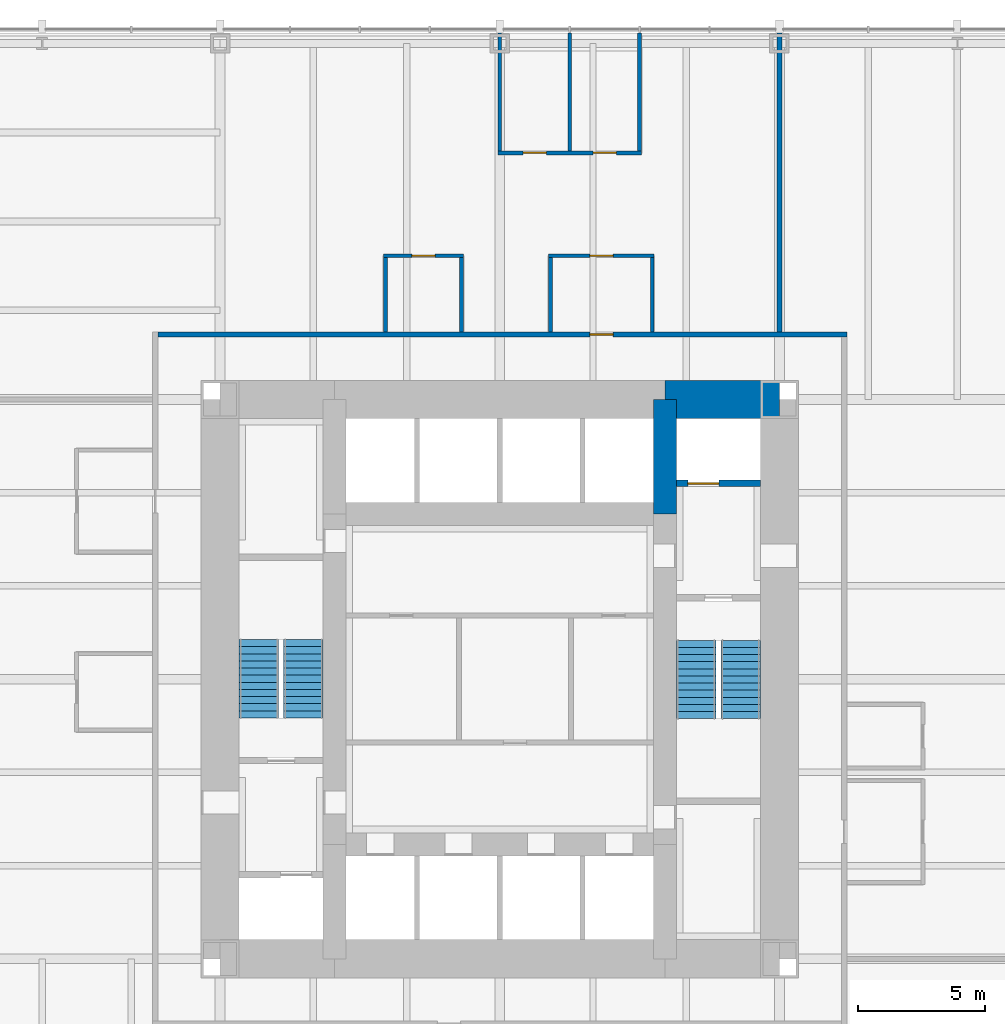
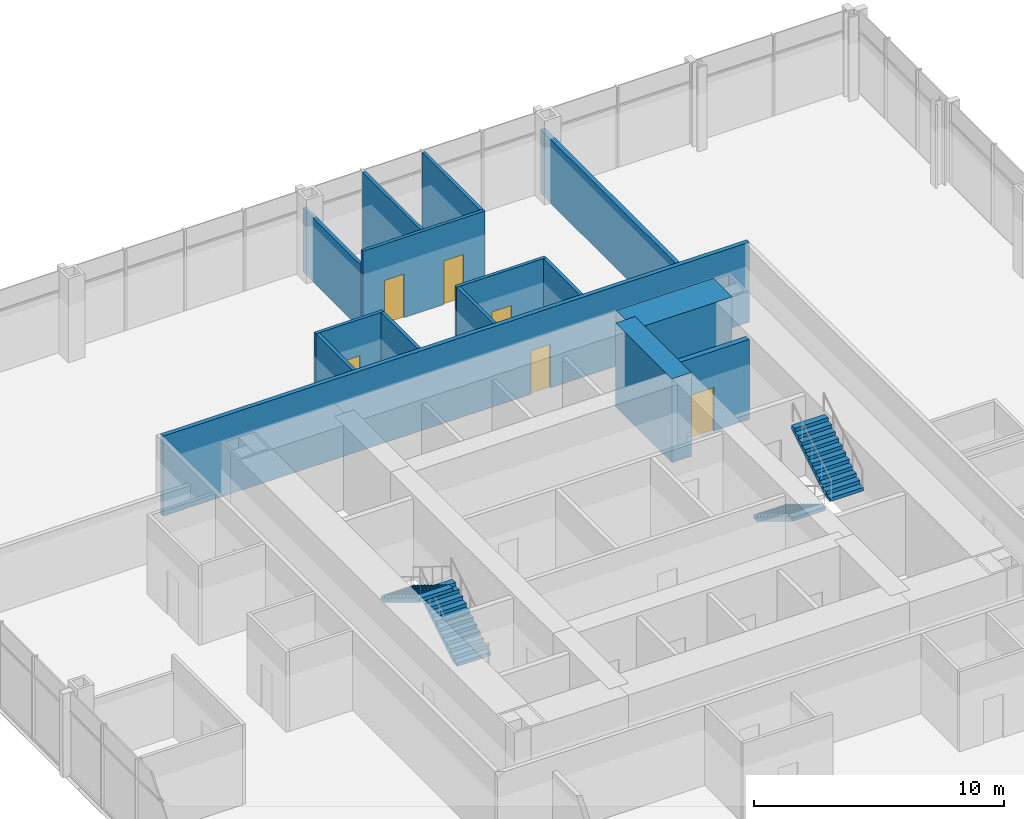
# One storey, part 11 of 12: 15 walls, 6 doors, 4 stair flights, 6 openings, 2 elements without a shape of their own.
"""IFC4 building model written with IfcOpenShell, lengths in metres."""

from ifc_helpers import new_model, si_unit, direction, frame, frame_2d, origin, place, context, subcontext, project, spatial, polyline, rectangle, outline, extrude, material, layer, layer_set, type_object, element, fill, aggregate, save


model = new_model("IFC4")

# Units and contexts
model_context = context("Model", 3, precision=1e-05, world=origin(), true_north=direction((0.0, 1.0)))
body_context = subcontext(model_context, "Body", "Model", "MODEL_VIEW")
ifc_project = project(units=[si_unit("LENGTHUNIT", "METRE"), si_unit("AREAUNIT", "SQUARE_METRE"), si_unit("VOLUMEUNIT", "CUBIC_METRE"), si_unit("PLANEANGLEUNIT", "RADIAN"), si_unit("MASSUNIT", "GRAM", prefix="KILO")], contexts=[model_context])

# Site, building, storey
site_placement = place(None, origin())
site = spatial("IfcSite", under=ifc_project, at=site_placement, CompositionType="ELEMENT")
building_placement = place(site_placement, origin())
building = spatial("IfcBuilding", under=site, at=building_placement, Name="Trevanion Tower", CompositionType="ELEMENT")
storey_placement = place(building_placement, frame((0.0, 0.0, 24.199951171875)))
storey = spatial("IfcBuildingStorey", under=building, at=storey_placement, Name="L05", CompositionType="ELEMENT", Elevation=24.199951171875)

# Walls
ifc_material_1 = material(Name="Concrete 10,000 psi", Category="concrete")
ifc_layer_1 = layer(ifc_material_1, 1.5)
ifc_layer_set_1 = layer_set([ifc_layer_1], Name="CW1 core wall 1500")
wall_type_1 = type_object("IfcWallType", Name="CW1 core wall 1500", PredefinedType="SHEAR", material=ifc_layer_set_1)
wall_1_placement = place(storey_placement, frame((11.0, 11.0, 0.0), z_axis=(0.0, 0.0, 1.0), x_axis=(-1.0, 0.0, 0.0)))
element("IfcWall", 1, at=wall_1_placement, inside=storey, type_object=wall_type_1, Name="CW1 CN1 L05", PredefinedType="SHEAR", context=body_context, shape_type="SweptSolid", body=[
    extrude(rectangle(XDim=4.5, YDim=1.5, at=frame_2d((2.25, 0.0))), origin(), (0.0, 0.0, 1.0), 4.10009765625),
])
ifc_material_2 = material(Name="Concrete 10,000 psi", Category="concrete")
ifc_layer_2 = layer(ifc_material_2, 0.89990234375)
ifc_layer_set_2 = layer_set([ifc_layer_2], Name="CW2 core wall 900")
wall_type_2 = type_object("IfcWallType", Name="CW2 core wall 900", PredefinedType="SHEAR", material=ifc_layer_set_2)
wall_2_placement = place(storey_placement, frame((6.5, 6.5, 0.0), z_axis=(0.0, 0.0, 1.0), x_axis=(0.0, 1.0, 0.0)))
element("IfcWall", 2, at=wall_2_placement, inside=storey, type_object=wall_type_2, Name="CW2 RE3 L05", PredefinedType="SHEAR", context=body_context, shape_type="SweptSolid", body=[
    extrude(rectangle(XDim=4.5, YDim=0.89990234375, at=frame_2d((2.25, 0.0))), origin(), (0.0, 0.0, 1.0), 4.10009765625),
])

# Wall, openings, doors
ifc_material_3 = material(Name="Gypsum board on steel studs", Category="steel")
ifc_layer_3 = layer(ifc_material_3, 0.14990234375)
ifc_layer_set_3 = layer_set([ifc_layer_3], Name="PT1 partition 150")
wall_type_3 = type_object("IfcWallType", Name="PT1 partition 150", PredefinedType="PARTITIONING", material=ifc_layer_set_3)
wall_3_placement = place(storey_placement, frame((5.574951171875, 20.699951171875, 0.0), z_axis=(0.0, 0.0, 1.0), x_axis=(-1.0, 0.0, 0.0)))
wall_3 = element("IfcWall", 3, at=wall_3_placement, inside=storey, type_object=wall_type_3, Name="PT1 L05 FC1F", PredefinedType="PARTITIONING", context=body_context, shape_type="SweptSolid", body=[
    extrude(rectangle(XDim=5.64990234375, YDim=0.14990234375, at=frame_2d((2.824951171875, 0.0))), origin(), (0.0, 0.0, 1.0), 3.91015625),
])
opening_1_placement = place(wall_3_placement, frame((0.992431640625, 0.0, 0.0)))
opening_1 = element("IfcOpeningElement", 4, at=opening_1_placement, cuts=wall_3, Name="Opening 05-021", PredefinedType="OPENING", context=body_context, shape_type="SweptSolid", body=[
    extrude(rectangle(XDim=0.9150390625, YDim=2.134033203125, at=frame_2d((0.45751953125, 1.06689453125))), frame((0.0, 0.0849609375, 0.0), z_axis=(0.0, -1.0, 0.0), x_axis=(1.0, 0.0, 0.0)), (0.0, 0.0, 1.0), 0.169921875),
])
opening_2_placement = place(wall_3_placement, frame((3.742431640625, 0.0, 0.0)))
opening_2 = element("IfcOpeningElement", 5, at=opening_2_placement, cuts=wall_3, Name="Opening 05-022", PredefinedType="OPENING", context=body_context, shape_type="SweptSolid", body=[
    extrude(rectangle(XDim=0.9150390625, YDim=2.134033203125, at=frame_2d((0.45751953125, 1.06689453125))), frame((0.0, 0.0849609375, 0.0), z_axis=(0.0, -1.0, 0.0), x_axis=(1.0, 0.0, 0.0)), (0.0, 0.0, 1.0), 0.169921875),
])
ifc_material_4 = material(Name="Timber veneer, solid core", Category="wood")
door_type_1 = type_object("IfcDoorType", Name="D1 office and meeting room door", OperationType="SINGLE_SWING_LEFT", PredefinedType="DOOR", material=ifc_material_4)
door_1_placement = place(opening_1_placement, origin())
door_1 = element("IfcDoor", 6, at=door_1_placement, inside=storey, type_object=door_type_1, Name="Door 05-021", OperationType="SINGLE_SWING_LEFT", OverallHeight=2.134033203125, OverallWidth=0.9150390625, PredefinedType="DOOR", context=body_context, shape_type="SweptSolid", body=[
    extrude(rectangle(XDim=0.9150390625, YDim=2.134033203125, at=frame_2d((0.45751953125, 1.06689453125))), frame((0.0, 0.02490234375, 0.0), z_axis=(0.0, -1.0, 0.0), x_axis=(1.0, 0.0, 0.0)), (0.0, 0.0, 1.0), 0.050048828125),
])
fill(opening_1, door_1)
door_2_placement = place(opening_2_placement, origin())
door_2 = element("IfcDoor", 7, at=door_2_placement, inside=storey, type_object=door_type_1, Name="Door 05-022", OperationType="SINGLE_SWING_LEFT", OverallHeight=2.134033203125, OverallWidth=0.9150390625, PredefinedType="DOOR", context=body_context, shape_type="SweptSolid", body=[
    extrude(rectangle(XDim=0.9150390625, YDim=2.134033203125, at=frame_2d((0.45751953125, 1.06689453125))), frame((0.0, 0.02490234375, 0.0), z_axis=(0.0, -1.0, 0.0), x_axis=(1.0, 0.0, 0.0)), (0.0, 0.0, 1.0), 0.050048828125),
])
fill(opening_2, door_2)

# Walls
for number, where, z_axis, x_axis, name in (
    (8, (5.5, 20.77490234375, 0.0), (0.0, 0.0, 1.0), (0.0, 1.0, 0.0), "PT1 L05 FC1S0"),
    (9, (2.75, 20.77490234375, 0.0), (0.0, 0.0, 1.0), (0.0, 1.0, 0.0), "PT1 L05 FC1S1"),
):
    element("IfcWall", number, at=place(storey_placement, frame(where, z_axis=z_axis, x_axis=x_axis)), inside=storey, type_object=wall_type_3, Name=name, PredefinedType="PARTITIONING", context=body_context, shape_type="SweptSolid", body=[
        extrude(rectangle(XDim=4.64013671875, YDim=0.14990234375, at=frame_2d((2.320068359375, 0.0))), origin(), (0.0, 0.0, 1.0), 3.91015625),
    ])
wall_4_placement = place(storey_placement, frame((0.0, 20.77490234375, 0.0), z_axis=(0.0, 0.0, 1.0), x_axis=(0.0, 1.0, 0.0)))
element("IfcWall", 10, at=wall_4_placement, inside=storey, type_object=wall_type_3, Name="PT1 L05 FC1S2", PredefinedType="PARTITIONING", context=body_context, shape_type="SweptSolid", body=[
    extrude(rectangle(XDim=4.64013671875, YDim=0.14990234375, at=frame_2d((2.320068359375, 0.0))), origin(), (0.0, 0.0, 1.0), 3.130126953125),
])

# Wall, opening, door
wall_5_placement = place(storey_placement, frame((6.074951171875, 16.64990234375, 0.0), z_axis=(0.0, 0.0, 1.0), x_axis=(-1.0, 0.0, 0.0)))
wall_5 = element("IfcWall", 11, at=wall_5_placement, inside=storey, type_object=wall_type_3, Name="PT1 L05 IN10F", PredefinedType="PARTITIONING", context=body_context, shape_type="SweptSolid", body=[
    extrude(rectangle(XDim=4.14990234375, YDim=0.14990234375, at=frame_2d((2.074951171875, 0.0))), origin(), (0.0, 0.0, 1.0), 3.91015625),
])
opening_3_placement = place(wall_5_placement, frame((1.617431640625, 0.0, 0.0)))
opening_3 = element("IfcOpeningElement", 12, at=opening_3_placement, cuts=wall_5, Name="Opening 05-027", PredefinedType="OPENING", context=body_context, shape_type="SweptSolid", body=[
    extrude(rectangle(XDim=0.9150390625, YDim=2.134033203125, at=frame_2d((0.45751953125, 1.06689453125))), frame((0.0, 0.0849609375, 0.0), z_axis=(0.0, -1.0, 0.0), x_axis=(1.0, 0.0, 0.0)), (0.0, 0.0, 1.0), 0.169921875),
])
door_3_placement = place(opening_3_placement, origin())
door_3 = element("IfcDoor", 13, at=door_3_placement, inside=storey, type_object=door_type_1, Name="Door 05-027", OperationType="SINGLE_SWING_LEFT", OverallHeight=2.134033203125, OverallWidth=0.9150390625, PredefinedType="DOOR", context=body_context, shape_type="SweptSolid", body=[
    extrude(rectangle(XDim=0.9150390625, YDim=2.134033203125, at=frame_2d((0.45751953125, 1.06689453125))), frame((0.0, 0.02490234375, 0.0), z_axis=(0.0, -1.0, 0.0), x_axis=(1.0, 0.0, 0.0)), (0.0, 0.0, 1.0), 0.050048828125),
])
fill(opening_3, door_3)

# Walls
for number, where, z_axis, x_axis, name in (
    (14, (6.0, 16.574951171875, 0.0), (0.0, 0.0, 1.0), (0.0, -1.0, 0.0), "PT1 L05 IN10S0"),
    (15, (2.0, 16.574951171875, 0.0), (0.0, 0.0, 1.0), (0.0, -1.0, 0.0), "PT1 L05 IN10S1"),
):
    element("IfcWall", number, at=place(storey_placement, frame(where, z_axis=z_axis, x_axis=x_axis)), inside=storey, type_object=wall_type_3, Name=name, PredefinedType="PARTITIONING", context=body_context, shape_type="SweptSolid", body=[
        extrude(rectangle(XDim=2.925048828125, YDim=0.14990234375, at=frame_2d((1.46240234375, 0.0))), origin(), (0.0, 0.0, 1.0), 3.91015625),
    ])

# Wall, opening, door
wall_6_placement = place(storey_placement, frame((-1.425048828125, 16.64990234375, 0.0), z_axis=(0.0, 0.0, 1.0), x_axis=(-1.0, 0.0, 0.0)))
wall_6 = element("IfcWall", 16, at=wall_6_placement, inside=storey, type_object=wall_type_3, Name="PT1 L05 IN11F", PredefinedType="PARTITIONING", context=body_context, shape_type="SweptSolid", body=[
    extrude(rectangle(XDim=3.14990234375, YDim=0.14990234375, at=frame_2d((1.574951171875, 0.0))), origin(), (0.0, 0.0, 1.0), 3.91015625),
])
opening_4_placement = place(wall_6_placement, frame((1.117431640625, 0.0, 0.0)))
opening_4 = element("IfcOpeningElement", 17, at=opening_4_placement, cuts=wall_6, Name="Opening 05-029", PredefinedType="OPENING", context=body_context, shape_type="SweptSolid", body=[
    extrude(rectangle(XDim=0.9150390625, YDim=2.134033203125, at=frame_2d((0.45751953125, 1.06689453125))), frame((0.0, 0.0849609375, 0.0), z_axis=(0.0, -1.0, 0.0), x_axis=(1.0, 0.0, 0.0)), (0.0, 0.0, 1.0), 0.169921875),
])
door_4_placement = place(opening_4_placement, origin())
door_4 = element("IfcDoor", 18, at=door_4_placement, inside=storey, type_object=door_type_1, Name="Door 05-029", OperationType="SINGLE_SWING_LEFT", OverallHeight=2.134033203125, OverallWidth=0.9150390625, PredefinedType="DOOR", context=body_context, shape_type="SweptSolid", body=[
    extrude(rectangle(XDim=0.9150390625, YDim=2.134033203125, at=frame_2d((0.45751953125, 1.06689453125))), frame((0.0, 0.02490234375, 0.0), z_axis=(0.0, -1.0, 0.0), x_axis=(1.0, 0.0, 0.0)), (0.0, 0.0, 1.0), 0.050048828125),
])
fill(opening_4, door_4)

# Walls
for number, where, z_axis, x_axis, name in (
    (19, (-1.5, 16.574951171875, 0.0), (0.0, 0.0, 1.0), (0.0, -1.0, 0.0), "PT1 L05 IN11S0"),
    (20, (-4.5, 16.574951171875, 0.0), (0.0, 0.0, 1.0), (0.0, -1.0, 0.0), "PT1 L05 IN11S1"),
):
    element("IfcWall", number, at=place(storey_placement, frame(where, z_axis=z_axis, x_axis=x_axis)), inside=storey, type_object=wall_type_3, Name=name, PredefinedType="PARTITIONING", context=body_context, shape_type="SweptSolid", body=[
        extrude(rectangle(XDim=2.925048828125, YDim=0.14990234375, at=frame_2d((1.46240234375, 0.0))), origin(), (0.0, 0.0, 1.0), 3.91015625),
    ])

# Wall, opening, door
ifc_material_5 = material(Name="Concrete masonry, grouted", Category="masonry")
ifc_layer_4 = layer(ifc_material_5, 0.199951171875)
ifc_layer_set_4 = layer_set([ifc_layer_4], Name="PT2 partition 200 1 HR")
wall_type_4 = type_object("IfcWallType", Name="PT2 partition 200 1 HR", PredefinedType="PARTITIONING", material=ifc_layer_set_4)
wall_7_placement = place(storey_placement, frame((13.64990234375, 13.550048828125, 0.0), z_axis=(0.0, 0.0, 1.0), x_axis=(-1.0, 0.0, 0.0)))
wall_7 = element("IfcWall", 21, at=wall_7_placement, inside=storey, type_object=wall_type_4, Name="PT2 L05 OC1", PredefinedType="PARTITIONING", context=body_context, shape_type="SweptSolid", body=[
    extrude(rectangle(XDim=27.099853515625, YDim=0.199951171875, at=frame_2d((13.5498046875, 0.0))), origin(), (0.0, 0.0, 1.0), 3.91015625),
])
opening_5_placement = place(wall_7_placement, frame((9.1923828125, 0.0, 0.0)))
opening_5 = element("IfcOpeningElement", 22, at=opening_5_placement, cuts=wall_7, Name="Opening 05-028", PredefinedType="OPENING", context=body_context, shape_type="SweptSolid", body=[
    extrude(rectangle(XDim=0.9150390625, YDim=2.134033203125, at=frame_2d((0.45751953125, 1.06689453125))), frame((0.0, 0.10986328125, 0.0), z_axis=(0.0, -1.0, 0.0), x_axis=(1.0, 0.0, 0.0)), (0.0, 0.0, 1.0), 0.219970703125),
])
ifc_material_6 = material(Name="Timber veneer, fire rated", Category="wood")
door_type_2 = type_object("IfcDoorType", Name="D10 office door in a one hour wall", OperationType="SINGLE_SWING_LEFT", PredefinedType="DOOR", material=ifc_material_6)
door_5_placement = place(opening_5_placement, origin())
door_5 = element("IfcDoor", 23, at=door_5_placement, inside=storey, type_object=door_type_2, Name="Door 05-028", OperationType="SINGLE_SWING_LEFT", OverallHeight=2.134033203125, OverallWidth=0.9150390625, PredefinedType="DOOR", context=body_context, shape_type="SweptSolid", body=[
    extrude(rectangle(XDim=0.9150390625, YDim=2.134033203125, at=frame_2d((0.45751953125, 1.06689453125))), frame((0.0, 0.02490234375, 0.0), z_axis=(0.0, -1.0, 0.0), x_axis=(1.0, 0.0, 0.0)), (0.0, 0.0, 1.0), 0.050048828125),
])
fill(opening_5, door_5)

# Wall
wall_8_placement = place(storey_placement, frame((11.0, 13.64990234375, 0.0), z_axis=(0.0, 0.0, 1.0), x_axis=(0.0, 1.0, 0.0)))
element("IfcWall", 24, at=wall_8_placement, inside=storey, type_object=wall_type_4, Name="PT2 L05 DM0", PredefinedType="PARTITIONING", context=body_context, shape_type="SweptSolid", body=[
    extrude(rectangle(XDim=11.76513671875, YDim=0.199951171875, at=frame_2d((5.882568359375, 0.0))), origin(), (0.0, 0.0, 1.0), 3.130126953125),
])

# Wall, opening, door
ifc_material_7 = material(Name="Concrete masonry, grouted, two-hour", Category="masonry")
ifc_layer_5 = layer(ifc_material_7, 0.25)
ifc_layer_set_5 = layer_set([ifc_layer_5], Name="PT3 partition 250 2 HR")
wall_type_5 = type_object("IfcWallType", Name="PT3 partition 250 2 HR", PredefinedType="PARTITIONING", material=ifc_layer_set_5)
wall_9_placement = place(storey_placement, frame((6.949951171875, 7.699951171875, 0.0), z_axis=(0.0, 0.0, 1.0), x_axis=(1.0, 0.0, 0.0)))
wall_9 = element("IfcWall", 25, at=wall_9_placement, inside=storey, type_object=wall_type_5, Name="PT3 L05 EP3", PredefinedType="PARTITIONING", context=body_context, shape_type="SweptSolid", body=[
    extrude(rectangle(XDim=3.300048828125, YDim=0.25, at=frame_2d((1.64990234375, 0.0))), origin(), (0.0, 0.0, 1.0), 3.91015625),
])
opening_6_placement = place(wall_9_placement, frame((0.449951171875, 0.0, 0.0)))
opening_6 = element("IfcOpeningElement", 26, at=opening_6_placement, cuts=wall_9, Name="Opening 05-007", PredefinedType="OPENING", context=body_context, shape_type="SweptSolid", body=[
    extrude(rectangle(XDim=1.218994140625, YDim=2.134033203125, at=frame_2d((0.609375, 1.06689453125))), frame((0.0, 0.135009765625, 0.0), z_axis=(0.0, -1.0, 0.0), x_axis=(1.0, 0.0, 0.0)), (0.0, 0.0, 1.0), 0.27001953125),
])
ifc_material_8 = material(Name="Stainless steel, fire rated", Category="steel")
door_type_3 = type_object("IfcDoorType", Name="LD2 fire service lift landing door", OperationType="SLIDING_TO_LEFT", PredefinedType="DOOR", material=ifc_material_8)
door_6_placement = place(opening_6_placement, origin())
door_6 = element("IfcDoor", 27, at=door_6_placement, inside=storey, type_object=door_type_3, Name="Door 05-007", OperationType="SLIDING_TO_LEFT", OverallHeight=2.134033203125, OverallWidth=1.218994140625, PredefinedType="DOOR", context=body_context, shape_type="SweptSolid", body=[
    extrude(rectangle(XDim=1.218994140625, YDim=2.134033203125, at=frame_2d((0.609375, 1.06689453125))), frame((0.0, 0.02490234375, 0.0), z_axis=(0.0, -1.0, 0.0), x_axis=(1.0, 0.0, 0.0)), (0.0, 0.0, 1.0), 0.050048828125),
])
fill(opening_6, door_6)

# Stair, stair flights
ifc_material_9 = material(Name="Concrete 5,000 psi on steel stringers", Category="concrete")
stair_type = type_object("IfcStairType", Name="ST stair", PredefinedType="HALF_TURN_STAIR", material=ifc_material_9)
stair_1_placement = place(storey_placement, origin())
stair_1 = element("IfcStair", 28, at=stair_1_placement, inside=storey, type_object=stair_type, Name="ST1 L05", PredefinedType="HALF_TURN_STAIR")
ifc_material_10 = material(Name="Concrete 5,000 psi in steel pan", Category="concrete")
stair_flight_type = type_object("IfcStairFlightType", Name="STF stair flight", PredefinedType="STRAIGHT", material=ifc_material_10)
stair_flight_1_placement = place(storey_placement, frame((7.72509765625, 1.52490234375, 0.0), z_axis=(0.0, 0.0, 1.0), x_axis=(0.0, -1.0, 0.0)))
stair_flight_1 = element("IfcStairFlight", 29, at=stair_flight_1_placement, type_object=stair_flight_type, Name="ST1 flight 1", NumberOfRisers=12, NumberOfTreads=11, PredefinedType="STRAIGHT", RiserHeight=0.170833333, TreadLength=0.28, context=body_context, shape_type="SweptSolid", body=[
    extrude(outline(polyline([(0.0, 0.0), (0.0, 0.1708984375), (0.280029296875, 0.1708984375), (0.280029296875, 0.341552734375), (0.56005859375, 0.341552734375), (0.56005859375, 0.512451171875), (0.840087890625, 0.512451171875), (0.840087890625, 0.683349609375), (1.1201171875, 0.683349609375), (1.1201171875, 0.854248046875), (1.39990234375, 0.854248046875), (1.39990234375, 1.02490234375), (1.679931640625, 1.02490234375), (1.679931640625, 1.19580078125), (1.9599609375, 1.19580078125), (1.9599609375, 1.36669921875), (2.239990234375, 1.36669921875), (2.239990234375, 1.53759765625), (2.52001953125, 1.53759765625), (2.52001953125, 1.708251953125), (2.800048828125, 1.708251953125), (2.800048828125, 1.879150390625), (3.080078125, 1.879150390625), (3.080078125, 2.050048828125), (3.080078125, 1.70361328125), (0.287841796875, 0.0), (0.0, 0.0)])), frame((0.0, 0.77490234375, 0.0), z_axis=(0.0, -1.0, 0.0), x_axis=(1.0, 0.0, 0.0)), (0.0, 0.0, 1.0), 1.550048828125),
])
stair_flight_2_placement = place(storey_placement, frame((9.47509765625, -1.554931640625, 2.050048828125), z_axis=(0.0, 0.0, 1.0), x_axis=(0.0, 1.0, 0.0)))
stair_flight_2 = element("IfcStairFlight", 30, at=stair_flight_2_placement, type_object=stair_flight_type, Name="ST1 flight 2", NumberOfRisers=12, NumberOfTreads=11, PredefinedType="STRAIGHT", RiserHeight=0.170833333, TreadLength=0.28, context=body_context, shape_type="SweptSolid", body=[
    extrude(outline(polyline([(0.0, 0.0), (0.0, 0.1708984375), (0.280029296875, 0.1708984375), (0.280029296875, 0.341552734375), (0.56005859375, 0.341552734375), (0.56005859375, 0.512451171875), (0.840087890625, 0.512451171875), (0.840087890625, 0.683349609375), (1.1201171875, 0.683349609375), (1.1201171875, 0.854248046875), (1.39990234375, 0.854248046875), (1.39990234375, 1.02490234375), (1.679931640625, 1.02490234375), (1.679931640625, 1.19580078125), (1.9599609375, 1.19580078125), (1.9599609375, 1.36669921875), (2.239990234375, 1.36669921875), (2.239990234375, 1.53759765625), (2.52001953125, 1.53759765625), (2.52001953125, 1.708251953125), (2.800048828125, 1.708251953125), (2.800048828125, 1.879150390625), (3.080078125, 1.879150390625), (3.080078125, 2.050048828125), (3.080078125, 1.70361328125), (0.287841796875, 0.0), (0.0, 0.0)])), frame((0.0, 0.77490234375, 0.0), z_axis=(0.0, -1.0, 0.0), x_axis=(1.0, 0.0, 0.0)), (0.0, 0.0, 1.0), 1.550048828125),
])
aggregate(stair_1, [stair_flight_1, stair_flight_2])

stair_2_placement = place(storey_placement, origin())
stair_2 = element("IfcStair", 31, at=stair_2_placement, inside=storey, type_object=stair_type, Name="ST2 L05", PredefinedType="HALF_TURN_STAIR")
stair_flight_3_placement = place(storey_placement, frame((-7.72509765625, -1.52490234375, 0.0), z_axis=(0.0, 0.0, 1.0), x_axis=(0.0, 1.0, 0.0)))
stair_flight_3 = element("IfcStairFlight", 32, at=stair_flight_3_placement, type_object=stair_flight_type, Name="ST2 flight 1", NumberOfRisers=12, NumberOfTreads=11, PredefinedType="STRAIGHT", RiserHeight=0.170833333, TreadLength=0.28, context=body_context, shape_type="SweptSolid", body=[
    extrude(outline(polyline([(0.0, 0.0), (0.0, 0.1708984375), (0.280029296875, 0.1708984375), (0.280029296875, 0.341552734375), (0.56005859375, 0.341552734375), (0.56005859375, 0.512451171875), (0.840087890625, 0.512451171875), (0.840087890625, 0.683349609375), (1.1201171875, 0.683349609375), (1.1201171875, 0.854248046875), (1.39990234375, 0.854248046875), (1.39990234375, 1.02490234375), (1.679931640625, 1.02490234375), (1.679931640625, 1.19580078125), (1.9599609375, 1.19580078125), (1.9599609375, 1.36669921875), (2.239990234375, 1.36669921875), (2.239990234375, 1.53759765625), (2.52001953125, 1.53759765625), (2.52001953125, 1.708251953125), (2.800048828125, 1.708251953125), (2.800048828125, 1.879150390625), (3.080078125, 1.879150390625), (3.080078125, 2.050048828125), (3.080078125, 1.70361328125), (0.287841796875, 0.0), (0.0, 0.0)])), frame((0.0, 0.77490234375, 0.0), z_axis=(0.0, -1.0, 0.0), x_axis=(1.0, 0.0, 0.0)), (0.0, 0.0, 1.0), 1.550048828125),
])
stair_flight_4_placement = place(storey_placement, frame((-9.47509765625, 1.554931640625, 2.050048828125), z_axis=(0.0, 0.0, 1.0), x_axis=(0.0, -1.0, 0.0)))
stair_flight_4 = element("IfcStairFlight", 33, at=stair_flight_4_placement, type_object=stair_flight_type, Name="ST2 flight 2", NumberOfRisers=12, NumberOfTreads=11, PredefinedType="STRAIGHT", RiserHeight=0.170833333, TreadLength=0.28, context=body_context, shape_type="SweptSolid", body=[
    extrude(outline(polyline([(0.0, 0.0), (0.0, 0.1708984375), (0.280029296875, 0.1708984375), (0.280029296875, 0.341552734375), (0.56005859375, 0.341552734375), (0.56005859375, 0.512451171875), (0.840087890625, 0.512451171875), (0.840087890625, 0.683349609375), (1.1201171875, 0.683349609375), (1.1201171875, 0.854248046875), (1.39990234375, 0.854248046875), (1.39990234375, 1.02490234375), (1.679931640625, 1.02490234375), (1.679931640625, 1.19580078125), (1.9599609375, 1.19580078125), (1.9599609375, 1.36669921875), (2.239990234375, 1.36669921875), (2.239990234375, 1.53759765625), (2.52001953125, 1.53759765625), (2.52001953125, 1.708251953125), (2.800048828125, 1.708251953125), (2.800048828125, 1.879150390625), (3.080078125, 1.879150390625), (3.080078125, 2.050048828125), (3.080078125, 1.70361328125), (0.287841796875, 0.0), (0.0, 0.0)])), frame((0.0, 0.77490234375, 0.0), z_axis=(0.0, -1.0, 0.0), x_axis=(1.0, 0.0, 0.0)), (0.0, 0.0, 1.0), 1.550048828125),
])
aggregate(stair_2, [stair_flight_3, stair_flight_4])

save(model, "model.ifc")
